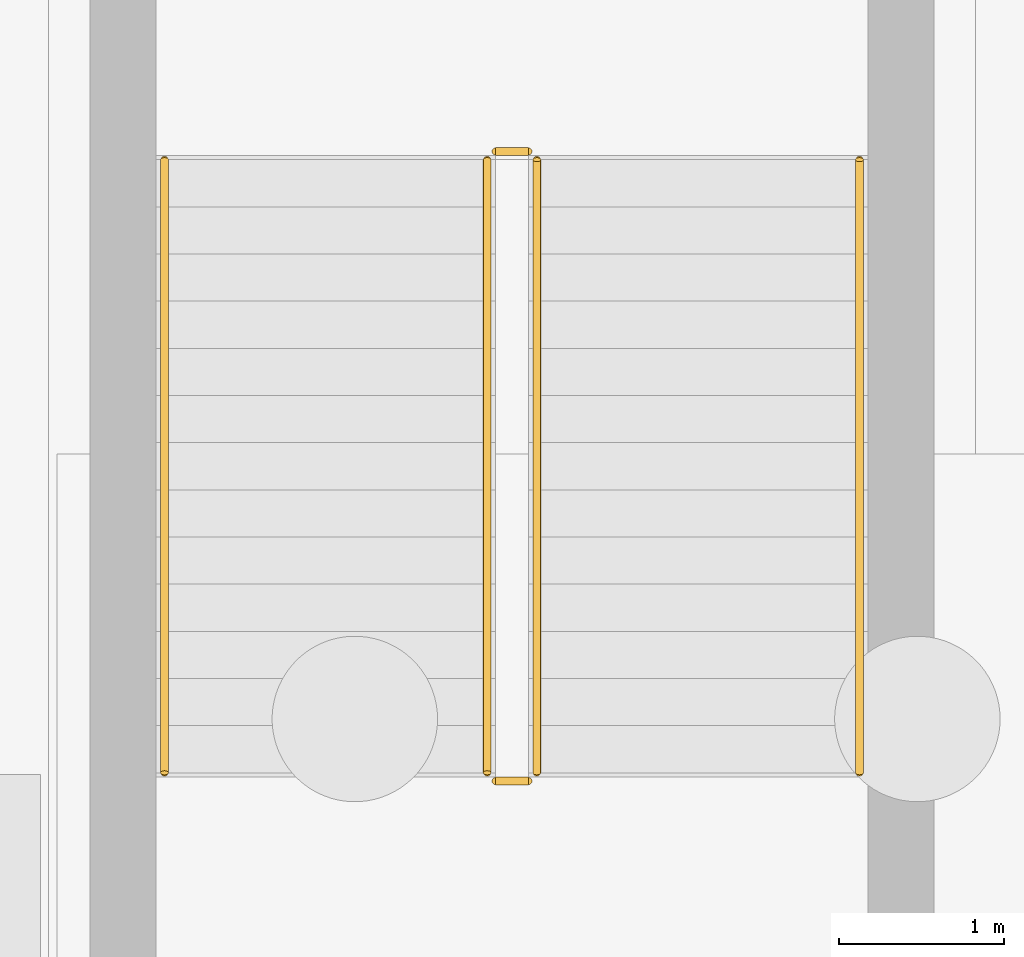
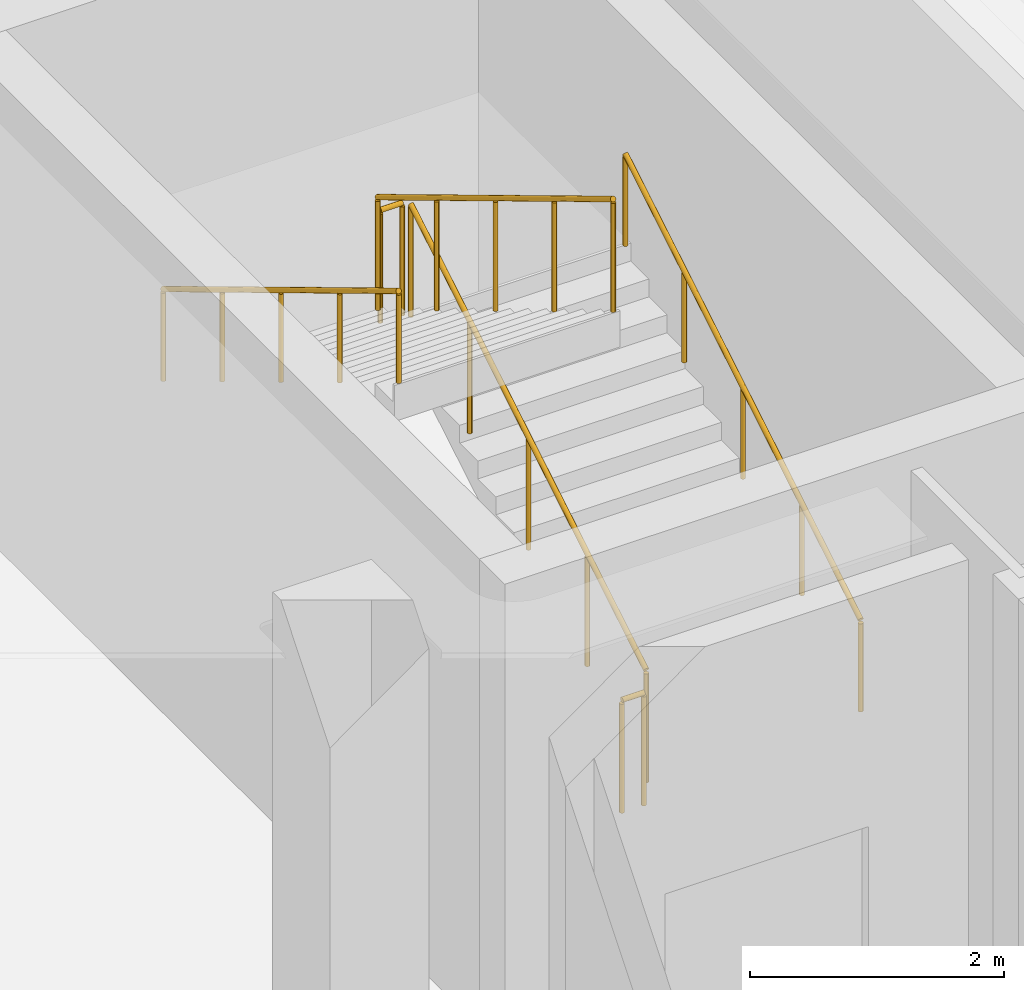
# One storey, part 65 of 67: 6 railings.
"""IFC4 building model written with IfcOpenShell, lengths in metres."""

from ifc_helpers import new_model, si_unit, direction, frame, origin, origin_2d, place, context, subcontext, project, spatial, circle, extrude, material, type_object, element, save


model = new_model("IFC4")

# Units and contexts
model_context = context("Model", 3, precision=1e-05, world=origin(), true_north=direction((0.0, 1.0)))
body_context = subcontext(model_context, "Body", "Model", "MODEL_VIEW")
ifc_project = project(units=[si_unit("LENGTHUNIT", "METRE"), si_unit("AREAUNIT", "SQUARE_METRE"), si_unit("VOLUMEUNIT", "CUBIC_METRE"), si_unit("PLANEANGLEUNIT", "RADIAN"), si_unit("MASSUNIT", "GRAM", prefix="KILO")], contexts=[model_context])

# Site, building, storey
site_placement = place(None, origin())
site = spatial("IfcSite", under=ifc_project, at=site_placement, CompositionType="ELEMENT")
building_placement = place(site_placement, origin())
building = spatial("IfcBuilding", under=site, at=building_placement, Name="Caelomonte Colonnade Arena", CompositionType="ELEMENT")
storey_placement = place(building_placement, frame((0.0, 0.0, -4.800048828125)))
storey = spatial("IfcBuildingStorey", under=building, at=storey_placement, Name="B1", CompositionType="ELEMENT", Elevation=-4.800048828125)

# Railings
ifc_material_1 = material(Name="Painted galvanized steel stair guard", Category="steel")
railing_type_1 = type_object("IfcRailingType", Name="INT-RL-GRD", PredefinedType="GUARDRAIL", material=ifc_material_1)
railing_1_placement = place(storey_placement, frame((157.699951171875, 127.25, 0.17138671875)))
element("IfcRailing", 1, at=railing_1_placement, inside=storey, type_object=railing_type_1, Name="B1 ST-06 stair guard 1", PredefinedType="GUARDRAIL", context=body_context, shape_type="SweptSolid", body=[
    extrude(circle(Radius=0.02392578125, at=origin_2d()), frame((0.0, 0.0, 1.076171875), z_axis=(0.0, 0.856909459561, 0.515466951525), x_axis=(-1.0, 0.0, 0.0)), (0.0, 0.0, 1.0), 4.32373046875),
    extrude(circle(Radius=0.02099609375, at=origin_2d()), origin(), (0.0, 0.0, 1.0), 1.048095703125),
    extrude(circle(Radius=0.02099609375, at=origin_2d()), frame((0.0, 0.92626953125, 0.55712890625)), (0.0, 0.0, 1.0), 1.048095703125),
    extrude(circle(Radius=0.02099609375, at=origin_2d()), frame((0.0, 1.8525390625, 1.1142578125)), (0.0, 0.0, 1.0), 1.048095703125),
    extrude(circle(Radius=0.02099609375, at=origin_2d()), frame((0.0, 2.77880859375, 1.671630859375)), (0.0, 0.0, 1.0), 1.048095703125),
    extrude(circle(Radius=0.02099609375, at=origin_2d()), frame((0.0, 3.705078125, 2.228759765625)), (0.0, 0.0, 1.0), 1.048095703125),
])
railing_2_placement = place(storey_placement, frame((157.64990234375, 131.0048828125, 2.400146484375)))
element("IfcRailing", 2, at=railing_2_placement, inside=storey, type_object=railing_type_1, Name="B1 ST-06 stair guard 2", PredefinedType="GUARDRAIL", context=body_context, shape_type="SweptSolid", body=[
    extrude(circle(Radius=0.02392578125, at=origin_2d()), frame((0.0, 0.0, 1.076171875), z_axis=(-1.0, 0.0, 0.0), x_axis=(0.0, -1.0, 0.0)), (0.0, 0.0, 1.0), 0.199951171875),
    extrude(circle(Radius=0.02099609375, at=origin_2d()), origin(), (0.0, 0.0, 1.0), 1.048095703125),
    extrude(circle(Radius=0.02099609375, at=origin_2d()), frame((-0.199951171875, 0.0, 0.0)), (0.0, 0.0, 1.0), 1.048095703125),
])
railing_3_placement = place(storey_placement, frame((157.39990234375, 130.955078125, 2.571533203125)))
element("IfcRailing", 3, at=railing_3_placement, inside=storey, type_object=railing_type_1, Name="B1 ST-06 stair guard 3", PredefinedType="GUARDRAIL", context=body_context, shape_type="SweptSolid", body=[
    extrude(circle(Radius=0.02392578125, at=origin_2d()), frame((0.0, 0.0, 1.076171875), z_axis=(0.0, -0.856934400257, 0.515425487977), x_axis=(1.0, 0.0, 0.0)), (0.0, 0.0, 1.0), 4.32373046875),
    extrude(circle(Radius=0.02099609375, at=origin_2d()), origin(), (0.0, 0.0, 1.0), 1.048095703125),
    extrude(circle(Radius=0.02099609375, at=origin_2d()), frame((0.0, -0.92626953125, 0.55712890625)), (0.0, 0.0, 1.0), 1.048095703125),
    extrude(circle(Radius=0.02099609375, at=origin_2d()), frame((0.0, -1.8525390625, 1.1142578125)), (0.0, 0.0, 1.0), 1.048095703125),
    extrude(circle(Radius=0.02099609375, at=origin_2d()), frame((0.0, -2.77880859375, 1.67138671875)), (0.0, 0.0, 1.0), 1.048095703125),
    extrude(circle(Radius=0.02099609375, at=origin_2d()), frame((0.0, -3.705078125, 2.228515625)), (0.0, 0.0, 1.0), 1.048095703125),
])
railing_4_placement = place(storey_placement, frame((157.64990234375, 127.199951171875, 0.0)))
element("IfcRailing", 4, at=railing_4_placement, inside=storey, type_object=railing_type_1, Name="B1 ST-06 stair guard 4", PredefinedType="GUARDRAIL", context=body_context, shape_type="SweptSolid", body=[
    extrude(circle(Radius=0.02392578125, at=origin_2d()), frame((0.0, 0.0, 1.076171875), z_axis=(-1.0, 0.0, 0.0), x_axis=(0.0, -1.0, 0.0)), (0.0, 0.0, 1.0), 0.199951171875),
    extrude(circle(Radius=0.02099609375, at=origin_2d()), origin(), (0.0, 0.0, 1.0), 1.048095703125),
    extrude(circle(Radius=0.02099609375, at=origin_2d()), frame((-0.199951171875, 0.0, 0.0)), (0.0, 0.0, 1.0), 1.048095703125),
])
ifc_material_2 = material(Name="Brushed stainless steel stair handrail", Category="steel")
railing_type_2 = type_object("IfcRailingType", Name="INT-RL-HR", PredefinedType="HANDRAIL", material=ifc_material_2)
railing_5_placement = place(storey_placement, frame((159.64990234375, 127.25, 0.17138671875)))
element("IfcRailing", 5, at=railing_5_placement, inside=storey, type_object=railing_type_2, Name="B1 ST-06 stair handrail 1", PredefinedType="HANDRAIL", context=body_context, shape_type="SweptSolid", body=[
    extrude(circle(Radius=0.02392578125, at=origin_2d()), frame((0.0, 0.0, 0.8759765625), z_axis=(0.0, 0.856909459561, 0.515466951525), x_axis=(-1.0, 0.0, 0.0)), (0.0, 0.0, 1.0), 4.32373046875),
    extrude(circle(Radius=0.02099609375, at=origin_2d()), origin(), (0.0, 0.0, 1.0), 0.847900390625),
    extrude(circle(Radius=0.02099609375, at=origin_2d()), frame((0.0, 0.92626953125, 0.55712890625)), (0.0, 0.0, 1.0), 0.847900390625),
    extrude(circle(Radius=0.02099609375, at=origin_2d()), frame((0.0, 1.8525390625, 1.1142578125)), (0.0, 0.0, 1.0), 0.847900390625),
    extrude(circle(Radius=0.02099609375, at=origin_2d()), frame((0.0, 2.77880859375, 1.671630859375)), (0.0, 0.0, 1.0), 0.847900390625),
    extrude(circle(Radius=0.02099609375, at=origin_2d()), frame((0.0, 3.705078125, 2.228759765625)), (0.0, 0.0, 1.0), 0.847900390625),
])
railing_6_placement = place(storey_placement, frame((155.449951171875, 130.955078125, 2.571533203125)))
element("IfcRailing", 6, at=railing_6_placement, inside=storey, type_object=railing_type_2, Name="B1 ST-06 stair handrail 2", PredefinedType="HANDRAIL", context=body_context, shape_type="SweptSolid", body=[
    extrude(circle(Radius=0.02392578125, at=origin_2d()), frame((0.0, 0.0, 0.8759765625), z_axis=(0.0, -0.856934400257, 0.515425487977), x_axis=(1.0, 0.0, 0.0)), (0.0, 0.0, 1.0), 4.32373046875),
    extrude(circle(Radius=0.02099609375, at=origin_2d()), origin(), (0.0, 0.0, 1.0), 0.847900390625),
    extrude(circle(Radius=0.02099609375, at=origin_2d()), frame((0.0, -0.92626953125, 0.55712890625)), (0.0, 0.0, 1.0), 0.847900390625),
    extrude(circle(Radius=0.02099609375, at=origin_2d()), frame((0.0, -1.8525390625, 1.1142578125)), (0.0, 0.0, 1.0), 0.847900390625),
    extrude(circle(Radius=0.02099609375, at=origin_2d()), frame((0.0, -2.77880859375, 1.67138671875)), (0.0, 0.0, 1.0), 0.847900390625),
    extrude(circle(Radius=0.02099609375, at=origin_2d()), frame((0.0, -3.705078125, 2.228515625)), (0.0, 0.0, 1.0), 0.847900390625),
])

save(model, "model.ifc")
